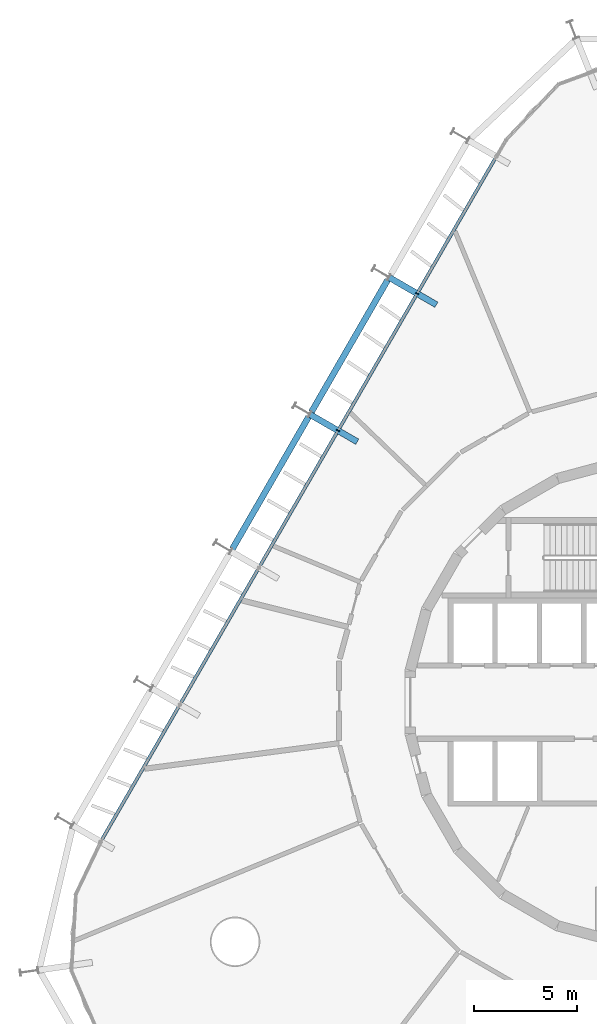
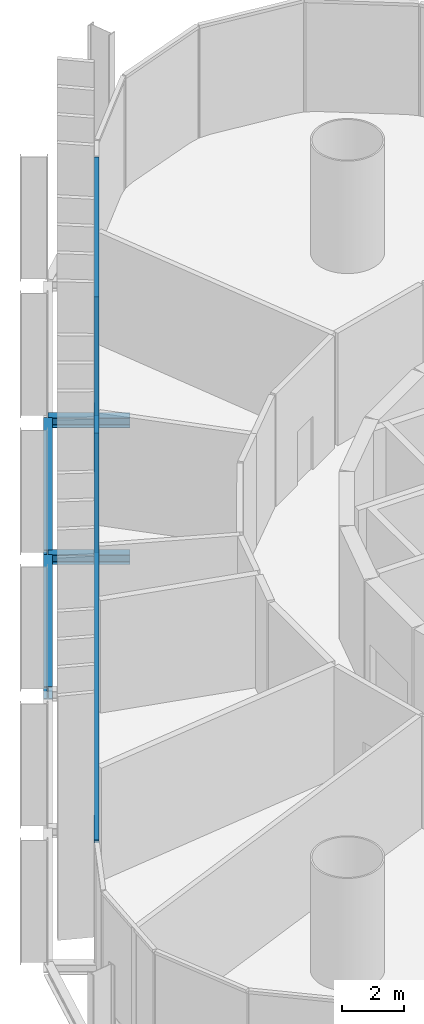
# One storey, part 9 of 18: 4 beams, 3 members, 1 element without a shape of its own.
"""IFC4 building model written with IfcOpenShell, lengths in metres."""

from ifc_helpers import new_model, si_unit, direction, frame, origin, origin_2d, place, context, subcontext, project, spatial, rectangle, i_section, extrude, material, layer, layer_set, material_profile, profile_set, type_object, element, aggregate, save


model = new_model("IFC4")

# Units and contexts
model_context = context("Model", 3, precision=1e-05, world=origin(), true_north=direction((0.0, 1.0)))
body_context = subcontext(model_context, "Body", "Model", "MODEL_VIEW")
ifc_project = project(units=[si_unit("LENGTHUNIT", "METRE"), si_unit("AREAUNIT", "SQUARE_METRE"), si_unit("VOLUMEUNIT", "CUBIC_METRE"), si_unit("PLANEANGLEUNIT", "RADIAN"), si_unit("MASSUNIT", "GRAM", prefix="KILO")], contexts=[model_context])

# Site, building, storey
site_placement = place(None, origin())
site = spatial("IfcSite", under=ifc_project, at=site_placement, CompositionType="ELEMENT")
building_placement = place(site_placement, origin())
building = spatial("IfcBuilding", under=site, at=building_placement, Name="Spindle Arch Residences", CompositionType="ELEMENT")
storey_placement = place(building_placement, frame((0.0, 0.0, 9.0)))
storey = spatial("IfcBuildingStorey", under=building, at=storey_placement, Name="L01", CompositionType="ELEMENT", Elevation=9.0)

# Curtain wall, members
ifc_material_1 = material(Name="Aluminium bronze unitised frame with tinted glass", Category="aluminium")
ifc_layer = layer(ifc_material_1, 0.159912109375)
ifc_layer_set = layer_set([ifc_layer], Name="CW-B amenity podium glazed wall")
curtain_wall_type = type_object("IfcCurtainWallType", Name="CW-B amenity podium glazed wall", PredefinedType="NOTDEFINED", material=ifc_layer_set)
curtain_wall_placement = place(storey_placement, origin())
curtain_wall = element("IfcCurtainWall", 1, at=curtain_wall_placement, inside=storey, type_object=curtain_wall_type, Name="CW-B L01 run 4", PredefinedType="NOTDEFINED")
ifc_material_2 = material(Name="Aluminium bronze anodised mullion", Category="aluminium")
ifc_material_profile_1 = material_profile(ifc_material_2, rectangle(XDim=0.159912109375, YDim=0.06005859375, at=origin_2d()), Name="MU 60x160")
ifc_profile_set_1 = profile_set([ifc_material_profile_1], Name="Aluminium bronze anodised mullion")
member_type_1 = type_object("IfcMemberType", Name="Bronze mullion 60x160", PredefinedType="MULLION", material=ifc_profile_set_1)
member_1_placement = place(storey_placement, frame((-11.309326171875, 19.83154296875, -0.3798828125), z_axis=(0.0, 0.0, 1.0), x_axis=(0.866025403784, -0.5, 0.0)))
member_1 = element("IfcMember", 2, at=member_1_placement, type_object=member_type_1, Name="CW-B mullion 14", PredefinedType="MULLION", context=body_context, shape_type="SweptSolid", body=[
    extrude(rectangle(XDim=0.159912109375, YDim=0.06005859375, at=origin_2d()), origin(), (0.0, 0.0, 1.0), 4.679931640625),
])
member_2_placement = place(storey_placement, frame((-15.149169921875, 13.180419921875, -0.3798828125), z_axis=(0.0, 0.0, 1.0), x_axis=(0.866025403784, -0.5, 0.0)))
member_2 = element("IfcMember", 3, at=member_2_placement, type_object=member_type_1, Name="CW-B mullion 15", PredefinedType="MULLION", context=body_context, shape_type="SweptSolid", body=[
    extrude(rectangle(XDim=0.159912109375, YDim=0.06005859375, at=origin_2d()), origin(), (0.0, 0.0, 1.0), 4.679931640625),
])
ifc_material_3 = material(Name="Aluminium bronze anodised transom", Category="aluminium")
ifc_material_profile_2 = material_profile(ifc_material_3, rectangle(XDim=0.159912109375, YDim=0.1201171875, at=origin_2d()), Name="TR 120x160")
ifc_profile_set_2 = profile_set([ifc_material_profile_2], Name="Aluminium bronze anodised transom")
member_type_2 = type_object("IfcMemberType", Name="Bronze transom 120x160", PredefinedType="USERDEFINED", material=ifc_profile_set_2)
member_3_placement = place(storey_placement, frame((-7.484130859375, 26.456787109375, 4.360107421875), z_axis=(-0.50000099666, -0.866024828362, 0.0), x_axis=(0.866024828362, -0.50000099666, 0.0)))
member_3 = element("IfcMember", 4, at=member_3_placement, type_object=member_type_2, Name="CW-B transom 00", ObjectType="TRANSOM", PredefinedType="USERDEFINED", context=body_context, shape_type="SweptSolid", body=[
    extrude(rectangle(XDim=0.159912109375, YDim=0.1201171875, at=origin_2d()), origin(), (0.0, 0.0, 1.0), 38.34033203125),
])
aggregate(curtain_wall, [member_3, member_1, member_2])

# Beams
ifc_material_4 = material(Name="Steel S460ML, intumescent coating R 120", Category="steel")
ifc_material_profile_3 = material_profile(ifc_material_4, i_section(OverallWidth=0.300048828125, OverallDepth=0.5, WebThickness=0.014404296875, FlangeThickness=0.028076171875, FilletRadius=0.027099609375, at=origin_2d()), Name="HEB 500")
ifc_profile_set_3 = profile_set([ifc_material_profile_3], Name="Steel S460ML, intumescent coating R 120")
beam_type_1 = type_object("IfcBeamType", Name="Exoskeleton edge beam HEB 500", PredefinedType="BEAM", material=ifc_profile_set_3)
beam_1_placement = place(storey_placement, frame((-12.73388671875, 20.504150390625, -0.6298828125), z_axis=(-0.49998923004, -0.866031621735, 0.0), x_axis=(0.866031621735, -0.49998923004, 0.0)))
element("IfcBeam", 5, at=beam_1_placement, inside=storey, type_object=beam_type_1, Name="Exoskeleton edge beam 15", PredefinedType="BEAM", context=body_context, shape_type="SweptSolid", body=[
    extrude(i_section(OverallWidth=0.300048828125, OverallDepth=0.5, WebThickness=0.014404296875, FlangeThickness=0.028076171875, FilletRadius=0.027099609375, at=origin_2d()), origin(), (0.0, 0.0, 1.0), 7.420166015625),
])
beam_2_placement = place(storey_placement, frame((-16.573974609375, 13.852783203125, -0.6298828125), z_axis=(-0.500003477455, -0.866023396066, 0.0), x_axis=(0.866023396066, -0.500003477455, 0.0)))
element("IfcBeam", 6, at=beam_2_placement, inside=storey, type_object=beam_type_1, Name="Exoskeleton edge beam 16", PredefinedType="BEAM", context=body_context, shape_type="SweptSolid", body=[
    extrude(i_section(OverallWidth=0.300048828125, OverallDepth=0.5, WebThickness=0.014404296875, FlangeThickness=0.028076171875, FilletRadius=0.027099609375, at=origin_2d()), origin(), (0.0, 0.0, 1.0), 7.419921875),
])
ifc_material_5 = material(Name="Steel S460ML, intumescent coating R 120", Category="steel")
ifc_material_profile_4 = material_profile(ifc_material_5, i_section(OverallWidth=0.300048828125, OverallDepth=0.389892578125, WebThickness=0.010986328125, FlangeThickness=0.01904296875, FilletRadius=0.027099609375, at=origin_2d()), Name="HEA 400")
ifc_profile_set_4 = profile_set([ifc_material_profile_4], Name="Steel S460ML, intumescent coating R 120")
beam_type_2 = type_object("IfcBeamType", Name="Floor outrigger HEA 400", PredefinedType="BEAM", material=ifc_profile_set_4)
for number, where, z_axis, x_axis, name in (
    (7, (-12.6689453125, 20.61669921875, -0.574951171875), (0.866052124492, -0.499953715521, 0.0), (0.499953715521, 0.866052124492, 0.0), "Floor outrigger 15"),
    (8, (-16.5087890625, 13.965576171875, -0.574951171875), (0.865989200783, -0.500062700197, 0.0), (0.500062700197, 0.865989200783, 0.0), "Floor outrigger 16"),
):
    element("IfcBeam", number, at=place(storey_placement, frame(where, z_axis=z_axis, x_axis=x_axis)), inside=storey, type_object=beam_type_2, Name=name, PredefinedType="BEAM", context=body_context, shape_type="SweptSolid", body=[
        extrude(i_section(OverallWidth=0.300048828125, OverallDepth=0.389892578125, WebThickness=0.010986328125, FlangeThickness=0.01904296875, FilletRadius=0.027099609375, at=origin_2d()), origin(), (0.0, 0.0, 1.0), 2.650146484375),
    ])

save(model, "model.ifc")
